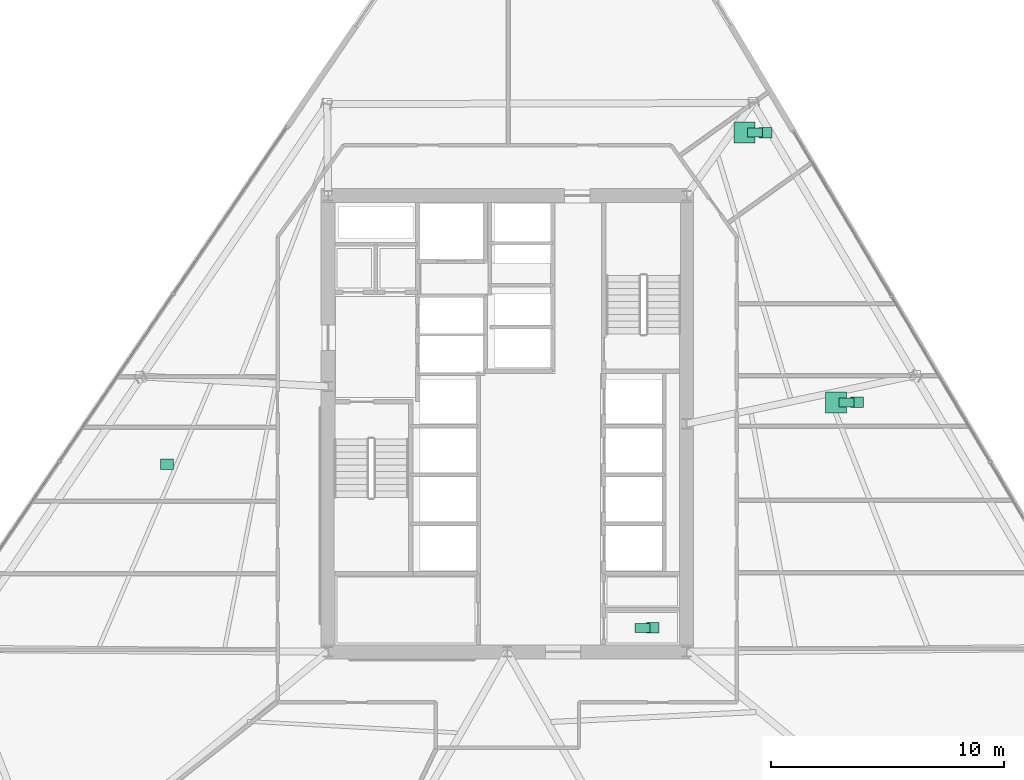
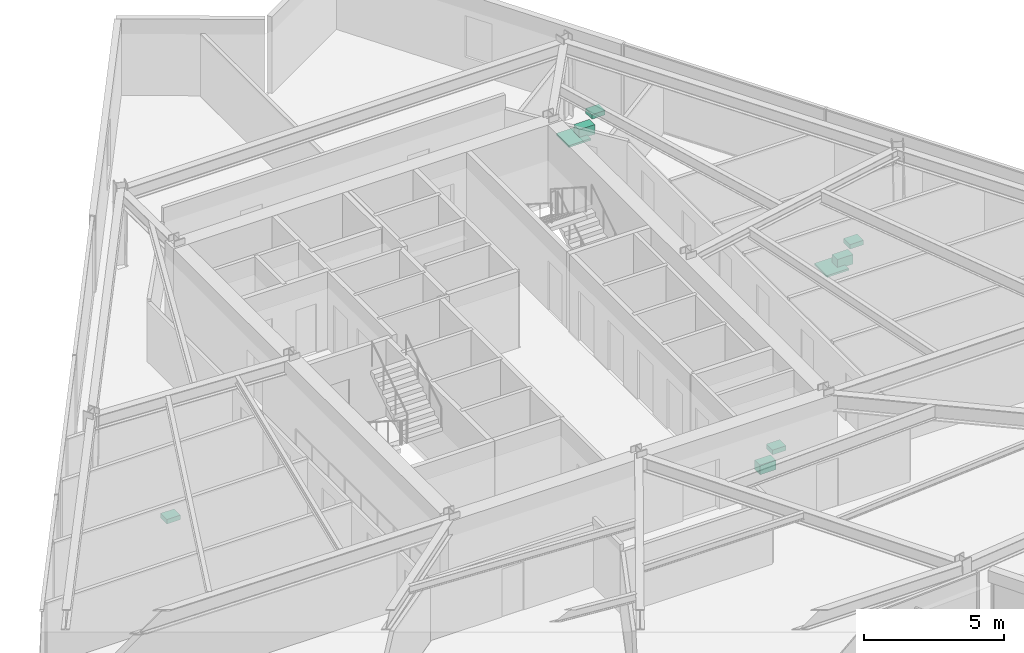
# One storey, part 16 of 16: 9 sanitary terminals.
"""IFC4 building model written with IfcOpenShell, lengths in metres."""

import ifcopenshell
import ifcopenshell.guid

model = None  # the IFC model being written
_history = None  # IfcOwnerHistory: only IFC2X3 demands one
_inside = {}  # id of a spatial element -> (the spatial element, [elements in it])
_under = {}  # id of a project, library or spatial element -> (it, [spatial elements below it])
_declared = {}  # id of a project -> (the project, [libraries it declares])
_typed = {}  # id of a type object -> (the type object, [elements of that type])
_made_of = {}  # id of a material, layer set ... -> (it, [elements and type objects made of it])


def new_model(schema):
    """Start an empty IFC model of exactly this schema.

    Asked for "IFC4X3", IfcOpenShell would pick the latest addendum, in which some entities
    have other attributes; the version numbers below select the first issue.
    IFC2X3 requires an IfcOwnerHistory on every rooted entity: one is made here for all.
    """
    global model, _history
    if schema == "IFC4X3":
        model = ifcopenshell.file(schema_version=(4, 3, 0, 0))
    else:
        model = ifcopenshell.file(schema=schema)
    _inside.clear()
    _under.clear()
    _declared.clear()
    _typed.clear()
    _made_of.clear()
    _history = None
    if model.schema == "IFC2X3":
        org = make("IfcOrganization", Name="unknown")
        user = make(
            "IfcPersonAndOrganization",
            ThePerson=make("IfcPerson", FamilyName="unknown"),
            TheOrganization=org,
        )
        app = make(
            "IfcApplication",
            ApplicationDeveloper=org,
            Version="unknown",
            ApplicationFullName="unknown",
            ApplicationIdentifier="unknown",
        )
        _history = make(
            "IfcOwnerHistory",
            OwningUser=user,
            OwningApplication=app,
            ChangeAction="ADDED",
            CreationDate=0,
        )
    return model


def make(cls, **values):
    """One entity of the class cls with the attributes given. An attribute that is None is left unset."""
    return model.create_entity(
        cls, **{name: value for name, value in values.items() if value is not None}
    )


def rooted(cls, **values):
    """An entity with a GlobalId (a new one), such as an element, a storey or a relation."""
    return make(cls, GlobalId=ifcopenshell.guid.new(), OwnerHistory=_history, **values)


def si_unit(unit_type, name, prefix=None):
    """IfcSIUnit, for example si_unit("LENGTHUNIT", "METRE", prefix="MILLI")."""
    return make("IfcSIUnit", UnitType=unit_type, Prefix=prefix, Name=name)


def assignment(units):
    """IfcUnitAssignment: the units of a project."""
    return None if units is None else make("IfcUnitAssignment", Units=units)


def point(xyz):
    """IfcCartesianPoint."""
    return None if xyz is None else make("IfcCartesianPoint", Coordinates=xyz)


def direction(xyz):
    """IfcDirection."""
    return None if xyz is None else make("IfcDirection", DirectionRatios=xyz)


def frame(location, z_axis=None, x_axis=None):
    """IfcAxis2Placement3D, a coordinate frame: its origin and axes. An axis left out is left unset."""
    return make(
        "IfcAxis2Placement3D",
        Location=point(location),
        Axis=direction(z_axis),
        RefDirection=direction(x_axis),
    )


def frame_2d(location, x_axis=None):
    """IfcAxis2Placement2D, a coordinate frame in the plane: its origin and x axis."""
    return make(
        "IfcAxis2Placement2D", Location=point(location), RefDirection=direction(x_axis)
    )


def origin():
    """The frame at (0, 0, 0) with its axes left unset."""
    return frame((0.0, 0.0, 0.0))


def origin_2d():
    """The frame at (0, 0) in the plane with its x axis left unset."""
    return frame_2d((0.0, 0.0))


def place(relative_to, where):
    """IfcLocalPlacement: puts the frame where relative to a parent placement (None: the world)."""
    return make(
        "IfcLocalPlacement", PlacementRelTo=relative_to, RelativePlacement=where
    )


def context(
    kind, dimensions, precision=None, world=None, true_north=None, identifier=None
):
    """IfcGeometricRepresentationContext, for example the 3D "Model" context."""
    return make(
        "IfcGeometricRepresentationContext",
        ContextIdentifier=identifier,
        ContextType=kind,
        CoordinateSpaceDimension=dimensions,
        Precision=precision,
        WorldCoordinateSystem=world,
        TrueNorth=true_north,
    )


def subcontext(parent, identifier, kind, view, scale=None):
    """IfcGeometricRepresentationSubContext, for example "Body" below "Model"."""
    return make(
        "IfcGeometricRepresentationSubContext",
        ContextIdentifier=identifier,
        ContextType=kind,
        ParentContext=parent,
        TargetScale=scale,
        TargetView=view,
    )


def project(units=None, contexts=None):
    """IfcProject with its units and contexts."""
    return rooted(
        "IfcProject",
        Name="project",
        RepresentationContexts=contexts,
        UnitsInContext=assignment(units),
    )


def spatial(cls, under=None, at=None, **own):
    """A site, building, storey or space (cls), placed at a placement, below another one or the project."""
    s = rooted(cls, ObjectPlacement=at, **own)
    if under is not None:
        _under.setdefault(under.id(), (under, []))[1].append(s)
    return s


def profile(cls, at=None, kind="AREA", **sizes):
    """A parametric profile (cls). Its sizes go by their IFC names, for example OverallWidth=200.0."""
    return make(cls, ProfileType=kind, Position=at, **sizes)


def rectangle(**sizes):
    """IfcRectangleProfileDef."""
    return profile("IfcRectangleProfileDef", **sizes)


def extrude(swept, where, along, depth):
    """IfcExtrudedAreaSolid: the profile swept, set in the frame where, extruded along a direction by depth."""
    return make(
        "IfcExtrudedAreaSolid",
        SweptArea=swept,
        Position=where,
        ExtrudedDirection=direction(along),
        Depth=depth,
    )


def shape(context_of_items, identifier, shape_type, items):
    """IfcShapeRepresentation: the items that make up one representation, for example the "Body"."""
    return make(
        "IfcShapeRepresentation",
        ContextOfItems=context_of_items,
        RepresentationIdentifier=identifier,
        RepresentationType=shape_type,
        Items=items,
    )


def material(Name=None, Category=None):
    """IfcMaterial."""
    return make("IfcMaterial", Name=Name, Category=Category)


def made_of(thing, what):
    """Note that an element or type object is made of a material, layer set ...; save() writes the relation."""
    if what is not None:
        _made_of.setdefault(what.id(), (what, []))[1].append(thing)
    return thing


def type_object(cls, material=None, **own):
    """A type object (cls), such as IfcWallType, which elements share."""
    return made_of(rooted(cls, **own), material)


def element(
    cls,
    number,
    at=None,
    inside=None,
    cuts=None,
    type_object=None,
    material=None,
    context=None,
    identifier="Body",
    shape_type=None,
    held_by="IfcProductDefinitionShape",
    body=None,
    shapes=None,
    **own,
):
    """One element of the class cls, such as IfcWall. Its Tag is "e" and its number.

    at: its placement. inside: the storey or other place that contains it. cuts: it is an
    opening in that element (IfcRelVoidsElement). A single representation is given by context,
    identifier, shape_type and body (its items); several are given by shapes. held_by: the class
    of the entity that holds the representations. save() writes the other relations.
    """
    e = rooted(cls, Tag="e%d" % number, ObjectPlacement=at, **own)
    if body is not None:
        shapes = [shape(context, identifier, shape_type, body)]
    if shapes is not None:
        e.Representation = make(held_by, Representations=shapes)
    if inside is not None:
        _inside.setdefault(inside.id(), (inside, []))[1].append(e)
    if cuts is not None:
        rooted(
            "IfcRelVoidsElement", RelatingBuildingElement=cuts, RelatedOpeningElement=e
        )
    if type_object is not None:
        _typed.setdefault(type_object.id(), (type_object, []))[1].append(e)
    return made_of(e, material)


def aggregate(whole, parts):
    """IfcRelAggregates: a whole, such as a stair, and the parts it consists of."""
    return rooted("IfcRelAggregates", RelatingObject=whole, RelatedObjects=parts)


def save(model, path):
    """Write the relations noted so far, then the file.

    IfcRelAggregates (storeys below a building ...), IfcRelContainedInSpatialStructure (elements
    in a storey), IfcRelDefinesByType, IfcRelAssociatesMaterial and IfcRelDeclares: one each for
    every whole, place, type object, material and project.
    """
    for whole, parts in _under.values():
        aggregate(whole, parts)
    for where, things in _inside.values():
        rooted(
            "IfcRelContainedInSpatialStructure",
            RelatedElements=things,
            RelatingStructure=where,
        )
    for kind, things in _typed.values():
        rooted("IfcRelDefinesByType", RelatedObjects=things, RelatingType=kind)
    for what, things in _made_of.values():
        rooted("IfcRelAssociatesMaterial", RelatedObjects=things, RelatingMaterial=what)
    for by, libraries in _declared.values():
        rooted("IfcRelDeclares", RelatingContext=by, RelatedDefinitions=libraries)
    model.write(path)


model = new_model("IFC4")

# Units and contexts
model_context = context("Model", 3, precision=1e-05, world=origin(), true_north=direction((0.0, 1.0)))
body_context = subcontext(model_context, "Body", "Model", "MODEL_VIEW")
ifc_project = project(units=[si_unit("LENGTHUNIT", "METRE"), si_unit("AREAUNIT", "SQUARE_METRE"), si_unit("VOLUMEUNIT", "CUBIC_METRE"), si_unit("PLANEANGLEUNIT", "RADIAN"), si_unit("MASSUNIT", "GRAM", prefix="KILO")], contexts=[model_context])

# Site, building, storey
site_placement = place(None, origin())
site = spatial("IfcSite", under=ifc_project, at=site_placement, CompositionType="ELEMENT")
building_placement = place(site_placement, origin())
building = spatial("IfcBuilding", under=site, at=building_placement, Name="Savorim Split Tower", CompositionType="ELEMENT")
storey_placement = place(building_placement, frame((0.0, 0.0, 51.60009765625)))
storey = spatial("IfcBuildingStorey", under=building, at=storey_placement, Name="L13", CompositionType="ELEMENT", Elevation=51.60009765625)

# Sanitary terminals
ifc_material = material(Name="Vitreous China Sanitaryware")
sanitary_terminal_type_1 = type_object("IfcSanitaryTerminalType", Name="SAN-SHW-900", PredefinedType="SHOWER", material=ifc_material)
for number, where, z_axis, x_axis, name in (
    (1, (14.12353515625, 1.3125, -0.000244140625), (0.0, 0.0, 1.0), (1.0, 0.0, 0.0), "L13 Shared Bathroom Shower"),
    (2, (10.19091796875, 12.90283203125, -0.000244140625), (0.0, 0.0, 1.0), (1.0, 0.0, 0.0), "L13 Shared Bathroom Shower"),
):
    element("IfcSanitaryTerminal", number, at=place(storey_placement, frame(where, z_axis=z_axis, x_axis=x_axis)), inside=storey, type_object=sanitary_terminal_type_1, Name=name, PredefinedType="SHOWER", context=body_context, shape_type="SweptSolid", body=[
        extrude(rectangle(XDim=0.89990234375, YDim=0.89990234375, at=origin_2d()), origin(), (0.0, 0.0, 1.0), 0.080078125),
    ])
sanitary_terminal_type_2 = type_object("IfcSanitaryTerminalType", Name="SAN-WC-PAN", PredefinedType="TOILETPAN", material=ifc_material)
for number, where, z_axis, x_axis, name in (
    (3, (5.800048828125, -8.3701171875, 0.0), (0.0, 0.0, 1.0), (1.0, 0.0, 0.0), "L13 Accessible WC WC Pan"),
    (4, (14.573486328125, 1.3125, 0.0), (0.0, 0.0, 1.0), (1.0, 0.0, 0.0), "L13 Shared Bathroom WC Pan"),
    (5, (10.64111328125, 12.90283203125, 0.0), (0.0, 0.0, 1.0), (1.0, 0.0, 0.0), "L13 Shared Bathroom WC Pan"),
):
    element("IfcSanitaryTerminal", number, at=place(storey_placement, frame(where, z_axis=z_axis, x_axis=x_axis)), inside=storey, type_object=sanitary_terminal_type_2, Name=name, PredefinedType="TOILETPAN", context=body_context, shape_type="SweptSolid", body=[
        extrude(rectangle(XDim=0.64990234375, YDim=0.3798828125, at=origin_2d()), origin(), (0.0, 0.0, 1.0), 0.419921875),
    ])
sanitary_terminal_type_3 = type_object("IfcSanitaryTerminalType", Name="SAN-WHB-550", PredefinedType="WASHHANDBASIN", material=ifc_material)
for number, where, z_axis, x_axis, name in (
    (6, (6.25, -8.3701171875, 0.7197265625), (0.0, 0.0, 1.0), (1.0, 0.0, 0.0), "L13 Accessible WC Washhand Basin"),
    (7, (-14.6201171875, -1.34423828125, 0.75), (0.0, 0.0, 1.0), (1.0, 0.0, 0.0), "L13 Shared Kitchen Utility Sink"),
    (8, (15.023681640625, 1.3125, 0.7197265625), (0.0, 0.0, 1.0), (1.0, 0.0, 0.0), "L13 Shared Bathroom Washhand Basin"),
    (9, (11.091064453125, 12.90283203125, 0.7197265625), (0.0, 0.0, 1.0), (1.0, 0.0, 0.0), "L13 Shared Bathroom Washhand Basin"),
):
    element("IfcSanitaryTerminal", number, at=place(storey_placement, frame(where, z_axis=z_axis, x_axis=x_axis)), inside=storey, type_object=sanitary_terminal_type_3, Name=name, PredefinedType="WASHHANDBASIN", context=body_context, shape_type="SweptSolid", body=[
        extrude(rectangle(XDim=0.550048828125, YDim=0.449951171875, at=origin_2d()), origin(), (0.0, 0.0, 1.0), 0.199951171875),
    ])

save(model, "model.ifc")
